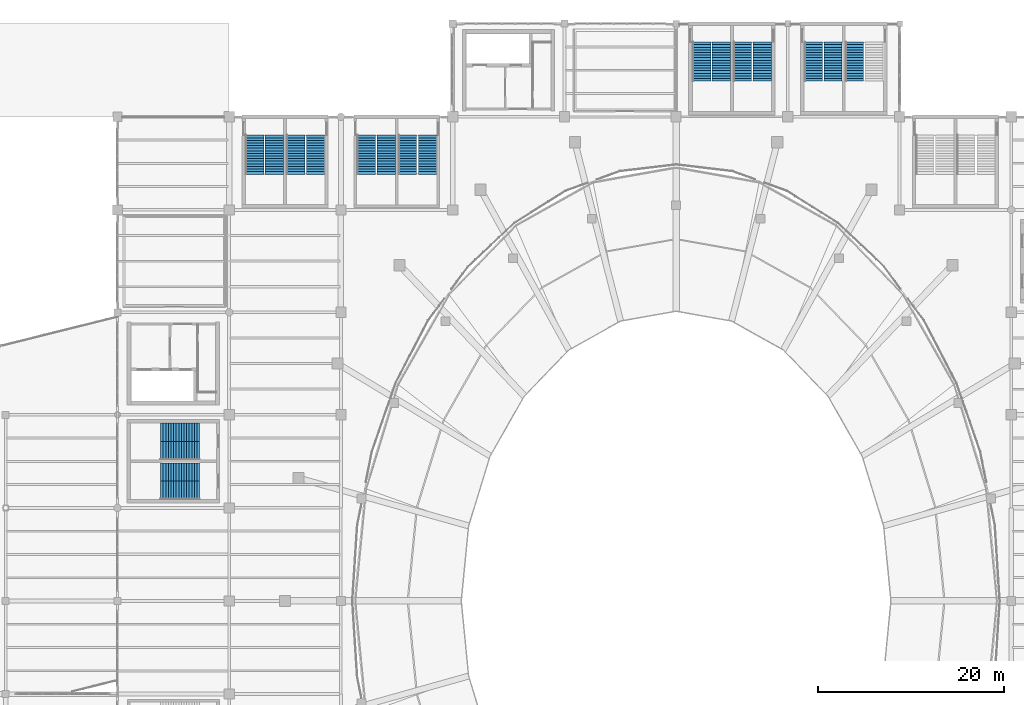
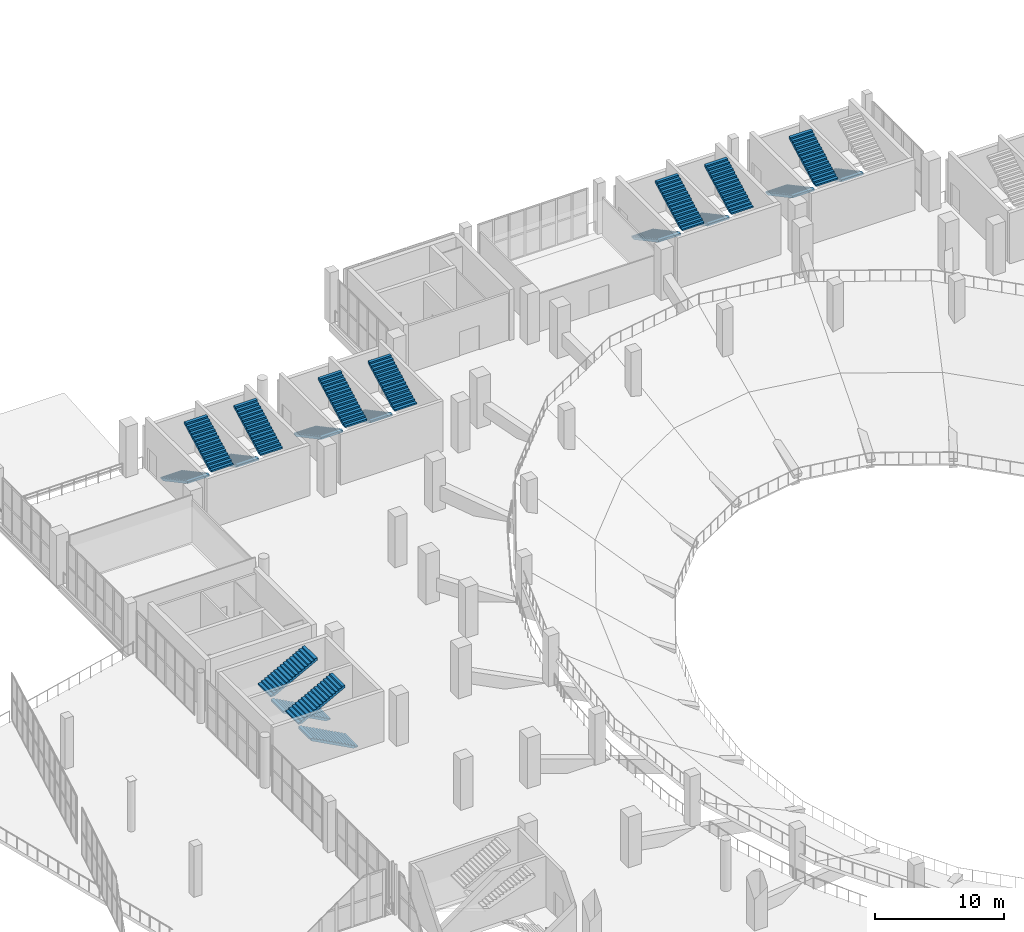
# One storey, part 116 of 136: 19 stair flights, 10 elements without a shape of their own.
"""IFC4 building model written with IfcOpenShell, lengths in metres."""

from ifc_helpers import new_model, si_unit, direction, frame, origin, place, context, subcontext, project, spatial, polyline, outline, extrude, material, layer, layer_set, type_object, element, aggregate, save


model = new_model("IFC4")

# Units and contexts
model_context = context("Model", 3, precision=1e-05, world=origin(), true_north=direction((0.0, 1.0)))
body_context = subcontext(model_context, "Body", "Model", "MODEL_VIEW")
ifc_project = project(units=[si_unit("LENGTHUNIT", "METRE"), si_unit("AREAUNIT", "SQUARE_METRE"), si_unit("VOLUMEUNIT", "CUBIC_METRE"), si_unit("PLANEANGLEUNIT", "RADIAN"), si_unit("MASSUNIT", "GRAM", prefix="KILO")], contexts=[model_context])

# Site, building, storey
site_placement = place(None, origin())
site = spatial("IfcSite", under=ifc_project, at=site_placement, CompositionType="ELEMENT")
building_placement = place(site_placement, origin())
building = spatial("IfcBuilding", under=site, at=building_placement, Name="Brinegate Civic Arena", CompositionType="ELEMENT")
storey_placement = place(building_placement, frame((0.0, 0.0, 5.39990234375)))
storey = spatial("IfcBuildingStorey", under=building, at=storey_placement, Name="L01", CompositionType="ELEMENT", Elevation=5.39990234375)

# Stair, stair flights
ifc_material = material(Name="Concrete C40/50", Category="concrete")
stair_type_1 = type_object("IfcStairType", Name="STAIR-EXIT-3700", PredefinedType="HALF_TURN_STAIR", material=ifc_material)
stair_1_placement = place(storey_placement, origin())
stair_1 = element("IfcStair", 1, at=stair_1_placement, inside=storey, type_object=stair_type_1, Name="Protected Exit Stair ST-01B (L01)", PredefinedType="HALF_TURN_STAIR")
ifc_layer_1 = layer(ifc_material, 0.179931640625, Name="Concrete C40/50")
ifc_layer_set_1 = layer_set([ifc_layer_1], Name="Concrete C40/50")
stair_flight_type_1 = type_object("IfcStairFlightType", Name="FLIGHT-EXIT-3700", PredefinedType="STRAIGHT", material=ifc_layer_set_1)
stair_flight_1_placement = place(storey_placement, frame((67.139892578125, 112.030029296875, 0.0), z_axis=(0.0, 0.0, 1.0), x_axis=(0.0, -1.0, 0.0)))
stair_flight_1 = element("IfcStairFlight", 2, at=stair_flight_1_placement, type_object=stair_flight_type_1, Name="ST-01B flight 1", NumberOfRisers=16, NumberOfTreads=15, PredefinedType="STRAIGHT", RiserHeight=0.15, TreadLength=0.28, context=body_context, shape_type="SweptSolid", body=[
    extrude(outline(polyline([(0.0, 0.0), (0.0, 0.14990234375), (0.280029296875, 0.14990234375), (0.280029296875, 0.300048828125), (0.56005859375, 0.300048828125), (0.56005859375, 0.449951171875), (0.840087890625, 0.449951171875), (0.840087890625, 0.60009765625), (1.1201171875, 0.60009765625), (1.1201171875, 0.75), (1.39990234375, 0.75), (1.39990234375, 0.89990234375), (1.679931640625, 0.89990234375), (1.679931640625, 1.050048828125), (1.9599609375, 1.050048828125), (1.9599609375, 1.199951171875), (2.239990234375, 1.199951171875), (2.239990234375, 1.35009765625), (2.52001953125, 1.35009765625), (2.52001953125, 1.5), (2.800048828125, 1.5), (2.800048828125, 1.64990234375), (3.080078125, 1.64990234375), (3.080078125, 1.800048828125), (3.360107421875, 1.800048828125), (3.360107421875, 1.949951171875), (3.639892578125, 1.949951171875), (3.639892578125, 2.10009765625), (3.919921875, 2.10009765625), (3.919921875, 2.25), (4.199951171875, 2.25), (4.199951171875, 2.39990234375), (4.199951171875, 2.0458984375), (0.381103515625, 0.0), (0.0, 0.0)])), frame((0.0, 0.97998046875, 0.0), z_axis=(0.0, -1.0, 0.0), x_axis=(1.0, 0.0, 0.0)), (0.0, 0.0, 1.0), 1.9599609375),
])
stair_flight_2_placement = place(storey_placement, frame((69.280029296875, 107.830078125, 2.400146484375), z_axis=(0.0, 0.0, 1.0), x_axis=(0.0, 1.0, 0.0)))
stair_flight_2 = element("IfcStairFlight", 3, at=stair_flight_2_placement, type_object=stair_flight_type_1, Name="ST-01B flight 2", NumberOfRisers=16, NumberOfTreads=15, PredefinedType="STRAIGHT", RiserHeight=0.15, TreadLength=0.28, context=body_context, shape_type="SweptSolid", body=[
    extrude(outline(polyline([(0.0, 0.0), (0.0, 0.14990234375), (0.280029296875, 0.14990234375), (0.280029296875, 0.300048828125), (0.56005859375, 0.300048828125), (0.56005859375, 0.449951171875), (0.840087890625, 0.449951171875), (0.840087890625, 0.60009765625), (1.1201171875, 0.60009765625), (1.1201171875, 0.75), (1.39990234375, 0.75), (1.39990234375, 0.89990234375), (1.679931640625, 0.89990234375), (1.679931640625, 1.050048828125), (1.9599609375, 1.050048828125), (1.9599609375, 1.199951171875), (2.239990234375, 1.199951171875), (2.239990234375, 1.35009765625), (2.52001953125, 1.35009765625), (2.52001953125, 1.5), (2.800048828125, 1.5), (2.800048828125, 1.64990234375), (3.080078125, 1.64990234375), (3.080078125, 1.800048828125), (3.360107421875, 1.800048828125), (3.360107421875, 1.949951171875), (3.639892578125, 1.949951171875), (3.639892578125, 2.10009765625), (3.919921875, 2.10009765625), (3.919921875, 2.25), (4.199951171875, 2.25), (4.199951171875, 2.39990234375), (4.199951171875, 2.0458984375), (0.381103515625, 0.0), (0.0, 0.0)])), frame((0.0, 0.97998046875, 0.0), z_axis=(0.0, -1.0, 0.0), x_axis=(1.0, 0.0, 0.0)), (0.0, 0.0, 1.0), 1.9599609375),
])
aggregate(stair_1, [stair_flight_1, stair_flight_2])

# Stair, stair flight
stair_2_placement = place(storey_placement, origin())
stair_2 = element("IfcStair", 4, at=stair_2_placement, inside=storey, type_object=stair_type_1, Name="Protected Exit Stair ST-03B (L01)", PredefinedType="HALF_TURN_STAIR")
stair_flight_3_placement = place(storey_placement, frame((127.139892578125, 122.030029296875, 0.0), z_axis=(0.0, 0.0, 1.0), x_axis=(0.0, -1.0, 0.0)))
stair_flight_3 = element("IfcStairFlight", 5, at=stair_flight_3_placement, type_object=stair_flight_type_1, Name="ST-03B flight 1", NumberOfRisers=16, NumberOfTreads=15, PredefinedType="STRAIGHT", RiserHeight=0.15, TreadLength=0.28, context=body_context, shape_type="SweptSolid", body=[
    extrude(outline(polyline([(0.0, 0.0), (0.0, 0.14990234375), (0.280029296875, 0.14990234375), (0.280029296875, 0.300048828125), (0.56005859375, 0.300048828125), (0.56005859375, 0.449951171875), (0.840087890625, 0.449951171875), (0.840087890625, 0.60009765625), (1.1201171875, 0.60009765625), (1.1201171875, 0.75), (1.39990234375, 0.75), (1.39990234375, 0.89990234375), (1.679931640625, 0.89990234375), (1.679931640625, 1.050048828125), (1.9599609375, 1.050048828125), (1.9599609375, 1.199951171875), (2.239990234375, 1.199951171875), (2.239990234375, 1.35009765625), (2.52001953125, 1.35009765625), (2.52001953125, 1.5), (2.800048828125, 1.5), (2.800048828125, 1.64990234375), (3.080078125, 1.64990234375), (3.080078125, 1.800048828125), (3.360107421875, 1.800048828125), (3.360107421875, 1.949951171875), (3.639892578125, 1.949951171875), (3.639892578125, 2.10009765625), (3.919921875, 2.10009765625), (3.919921875, 2.25), (4.199951171875, 2.25), (4.199951171875, 2.39990234375), (4.199951171875, 2.0458984375), (0.381103515625, 0.0), (0.0, 0.0)])), frame((0.0, 0.97998046875, 0.0), z_axis=(0.0, -1.0, 0.0), x_axis=(1.0, 0.0, 0.0)), (0.0, 0.0, 1.0), 1.9599609375),
])
aggregate(stair_2, [stair_flight_3])

# Stair, stair flights
stair_3_placement = place(storey_placement, origin())
stair_3 = element("IfcStair", 6, at=stair_3_placement, inside=storey, type_object=stair_type_1, Name="Protected Exit Stair ST-07B (L01)", PredefinedType="HALF_TURN_STAIR")
stair_flight_4_placement = place(storey_placement, frame((56.830078125, 78.139892578125, 0.0), z_axis=(0.0, 0.0, 1.0), x_axis=(-1.0, 0.0, 0.0)))
stair_flight_4 = element("IfcStairFlight", 7, at=stair_flight_4_placement, type_object=stair_flight_type_1, Name="ST-07B flight 1", NumberOfRisers=16, NumberOfTreads=15, PredefinedType="STRAIGHT", RiserHeight=0.15, TreadLength=0.28, context=body_context, shape_type="SweptSolid", body=[
    extrude(outline(polyline([(0.0, 0.0), (0.0, 0.14990234375), (0.280029296875, 0.14990234375), (0.280029296875, 0.300048828125), (0.56005859375, 0.300048828125), (0.56005859375, 0.449951171875), (0.840087890625, 0.449951171875), (0.840087890625, 0.60009765625), (1.1201171875, 0.60009765625), (1.1201171875, 0.75), (1.39990234375, 0.75), (1.39990234375, 0.89990234375), (1.679931640625, 0.89990234375), (1.679931640625, 1.050048828125), (1.9599609375, 1.050048828125), (1.9599609375, 1.199951171875), (2.239990234375, 1.199951171875), (2.239990234375, 1.35009765625), (2.52001953125, 1.35009765625), (2.52001953125, 1.5), (2.800048828125, 1.5), (2.800048828125, 1.64990234375), (3.080078125, 1.64990234375), (3.080078125, 1.800048828125), (3.360107421875, 1.800048828125), (3.360107421875, 1.949951171875), (3.639892578125, 1.949951171875), (3.639892578125, 2.10009765625), (3.919921875, 2.10009765625), (3.919921875, 2.25), (4.199951171875, 2.25), (4.199951171875, 2.39990234375), (4.199951171875, 2.0458984375), (0.381103515625, 0.0), (0.0, 0.0)])), frame((0.0, 0.97998046875, 0.0), z_axis=(0.0, -1.0, 0.0), x_axis=(1.0, 0.0, 0.0)), (0.0, 0.0, 1.0), 1.9599609375),
])
stair_flight_5_placement = place(storey_placement, frame((52.6298828125, 80.1298828125, 2.400146484375), z_axis=(0.0, 0.0, 1.0), x_axis=(1.0, 0.0, 0.0)))
stair_flight_5 = element("IfcStairFlight", 8, at=stair_flight_5_placement, type_object=stair_flight_type_1, Name="ST-07B flight 2", NumberOfRisers=16, NumberOfTreads=15, PredefinedType="STRAIGHT", RiserHeight=0.15, TreadLength=0.28, context=body_context, shape_type="SweptSolid", body=[
    extrude(outline(polyline([(0.0, 0.0), (0.0, 0.14990234375), (0.280029296875, 0.14990234375), (0.280029296875, 0.300048828125), (0.56005859375, 0.300048828125), (0.56005859375, 0.449951171875), (0.840087890625, 0.449951171875), (0.840087890625, 0.60009765625), (1.1201171875, 0.60009765625), (1.1201171875, 0.75), (1.39990234375, 0.75), (1.39990234375, 0.89990234375), (1.679931640625, 0.89990234375), (1.679931640625, 1.050048828125), (1.9599609375, 1.050048828125), (1.9599609375, 1.199951171875), (2.239990234375, 1.199951171875), (2.239990234375, 1.35009765625), (2.52001953125, 1.35009765625), (2.52001953125, 1.5), (2.800048828125, 1.5), (2.800048828125, 1.64990234375), (3.080078125, 1.64990234375), (3.080078125, 1.800048828125), (3.360107421875, 1.800048828125), (3.360107421875, 1.949951171875), (3.639892578125, 1.949951171875), (3.639892578125, 2.10009765625), (3.919921875, 2.10009765625), (3.919921875, 2.25), (4.199951171875, 2.25), (4.199951171875, 2.39990234375), (4.199951171875, 2.0458984375), (0.381103515625, 0.0), (0.0, 0.0)])), frame((0.0, 0.97998046875, 0.0), z_axis=(0.0, -1.0, 0.0), x_axis=(1.0, 0.0, 0.0)), (0.0, 0.0, 1.0), 1.9599609375),
])
aggregate(stair_3, [stair_flight_4, stair_flight_5])

stair_4_placement = place(storey_placement, origin())
stair_4 = element("IfcStair", 9, at=stair_4_placement, inside=storey, type_object=stair_type_1, Name="Protected Exit Stair ST-11B (L01)", PredefinedType="HALF_TURN_STAIR")
stair_flight_6_placement = place(storey_placement, frame((79.139892578125, 112.030029296875, 0.0), z_axis=(0.0, 0.0, 1.0), x_axis=(0.0, -1.0, 0.0)))
stair_flight_6 = element("IfcStairFlight", 10, at=stair_flight_6_placement, type_object=stair_flight_type_1, Name="ST-11B flight 1", NumberOfRisers=16, NumberOfTreads=15, PredefinedType="STRAIGHT", RiserHeight=0.15, TreadLength=0.28, context=body_context, shape_type="SweptSolid", body=[
    extrude(outline(polyline([(0.0, 0.0), (0.0, 0.14990234375), (0.280029296875, 0.14990234375), (0.280029296875, 0.300048828125), (0.56005859375, 0.300048828125), (0.56005859375, 0.449951171875), (0.840087890625, 0.449951171875), (0.840087890625, 0.60009765625), (1.1201171875, 0.60009765625), (1.1201171875, 0.75), (1.39990234375, 0.75), (1.39990234375, 0.89990234375), (1.679931640625, 0.89990234375), (1.679931640625, 1.050048828125), (1.9599609375, 1.050048828125), (1.9599609375, 1.199951171875), (2.239990234375, 1.199951171875), (2.239990234375, 1.35009765625), (2.52001953125, 1.35009765625), (2.52001953125, 1.5), (2.800048828125, 1.5), (2.800048828125, 1.64990234375), (3.080078125, 1.64990234375), (3.080078125, 1.800048828125), (3.360107421875, 1.800048828125), (3.360107421875, 1.949951171875), (3.639892578125, 1.949951171875), (3.639892578125, 2.10009765625), (3.919921875, 2.10009765625), (3.919921875, 2.25), (4.199951171875, 2.25), (4.199951171875, 2.39990234375), (4.199951171875, 2.0458984375), (0.381103515625, 0.0), (0.0, 0.0)])), frame((0.0, 0.97998046875, 0.0), z_axis=(0.0, -1.0, 0.0), x_axis=(1.0, 0.0, 0.0)), (0.0, 0.0, 1.0), 1.9599609375),
])
stair_flight_7_placement = place(storey_placement, frame((81.31005859375, 107.830078125, 2.400146484375), z_axis=(0.0, 0.0, 1.0), x_axis=(0.0, 1.0, 0.0)))
stair_flight_7 = element("IfcStairFlight", 11, at=stair_flight_7_placement, type_object=stair_flight_type_1, Name="ST-11B flight 2", NumberOfRisers=16, NumberOfTreads=15, PredefinedType="STRAIGHT", RiserHeight=0.15, TreadLength=0.28, context=body_context, shape_type="SweptSolid", body=[
    extrude(outline(polyline([(0.0, 0.0), (0.0, 0.14990234375), (0.280029296875, 0.14990234375), (0.280029296875, 0.300048828125), (0.56005859375, 0.300048828125), (0.56005859375, 0.449951171875), (0.840087890625, 0.449951171875), (0.840087890625, 0.60009765625), (1.1201171875, 0.60009765625), (1.1201171875, 0.75), (1.39990234375, 0.75), (1.39990234375, 0.89990234375), (1.679931640625, 0.89990234375), (1.679931640625, 1.050048828125), (1.9599609375, 1.050048828125), (1.9599609375, 1.199951171875), (2.239990234375, 1.199951171875), (2.239990234375, 1.35009765625), (2.52001953125, 1.35009765625), (2.52001953125, 1.5), (2.800048828125, 1.5), (2.800048828125, 1.64990234375), (3.080078125, 1.64990234375), (3.080078125, 1.800048828125), (3.360107421875, 1.800048828125), (3.360107421875, 1.949951171875), (3.639892578125, 1.949951171875), (3.639892578125, 2.10009765625), (3.919921875, 2.10009765625), (3.919921875, 2.25), (4.199951171875, 2.25), (4.199951171875, 2.39990234375), (4.199951171875, 2.0458984375), (0.381103515625, 0.0), (0.0, 0.0)])), frame((0.0, 0.97998046875, 0.0), z_axis=(0.0, -1.0, 0.0), x_axis=(1.0, 0.0, 0.0)), (0.0, 0.0, 1.0), 1.9599609375),
])
aggregate(stair_4, [stair_flight_6, stair_flight_7])

stair_5_placement = place(storey_placement, origin())
stair_5 = element("IfcStair", 12, at=stair_5_placement, inside=storey, type_object=stair_type_1, Name="Protected Exit Stair ST-15B (L01)", PredefinedType="HALF_TURN_STAIR")
stair_flight_8_placement = place(storey_placement, frame((115.139892578125, 122.030029296875, 0.0), z_axis=(0.0, 0.0, 1.0), x_axis=(0.0, -1.0, 0.0)))
stair_flight_8 = element("IfcStairFlight", 13, at=stair_flight_8_placement, type_object=stair_flight_type_1, Name="ST-15B flight 1", NumberOfRisers=16, NumberOfTreads=15, PredefinedType="STRAIGHT", RiserHeight=0.15, TreadLength=0.28, context=body_context, shape_type="SweptSolid", body=[
    extrude(outline(polyline([(0.0, 0.0), (0.0, 0.14990234375), (0.280029296875, 0.14990234375), (0.280029296875, 0.300048828125), (0.56005859375, 0.300048828125), (0.56005859375, 0.449951171875), (0.840087890625, 0.449951171875), (0.840087890625, 0.60009765625), (1.1201171875, 0.60009765625), (1.1201171875, 0.75), (1.39990234375, 0.75), (1.39990234375, 0.89990234375), (1.679931640625, 0.89990234375), (1.679931640625, 1.050048828125), (1.9599609375, 1.050048828125), (1.9599609375, 1.199951171875), (2.239990234375, 1.199951171875), (2.239990234375, 1.35009765625), (2.52001953125, 1.35009765625), (2.52001953125, 1.5), (2.800048828125, 1.5), (2.800048828125, 1.64990234375), (3.080078125, 1.64990234375), (3.080078125, 1.800048828125), (3.360107421875, 1.800048828125), (3.360107421875, 1.949951171875), (3.639892578125, 1.949951171875), (3.639892578125, 2.10009765625), (3.919921875, 2.10009765625), (3.919921875, 2.25), (4.199951171875, 2.25), (4.199951171875, 2.39990234375), (4.199951171875, 2.0458984375), (0.381103515625, 0.0), (0.0, 0.0)])), frame((0.0, 0.97998046875, 0.0), z_axis=(0.0, -1.0, 0.0), x_axis=(1.0, 0.0, 0.0)), (0.0, 0.0, 1.0), 1.9599609375),
])
stair_flight_9_placement = place(storey_placement, frame((117.260009765625, 117.830078125, 2.400146484375), z_axis=(0.0, 0.0, 1.0), x_axis=(0.0, 1.0, 0.0)))
stair_flight_9 = element("IfcStairFlight", 14, at=stair_flight_9_placement, type_object=stair_flight_type_1, Name="ST-15B flight 2", NumberOfRisers=16, NumberOfTreads=15, PredefinedType="STRAIGHT", RiserHeight=0.15, TreadLength=0.28, context=body_context, shape_type="SweptSolid", body=[
    extrude(outline(polyline([(0.0, 0.0), (0.0, 0.14990234375), (0.280029296875, 0.14990234375), (0.280029296875, 0.300048828125), (0.56005859375, 0.300048828125), (0.56005859375, 0.449951171875), (0.840087890625, 0.449951171875), (0.840087890625, 0.60009765625), (1.1201171875, 0.60009765625), (1.1201171875, 0.75), (1.39990234375, 0.75), (1.39990234375, 0.89990234375), (1.679931640625, 0.89990234375), (1.679931640625, 1.050048828125), (1.9599609375, 1.050048828125), (1.9599609375, 1.199951171875), (2.239990234375, 1.199951171875), (2.239990234375, 1.35009765625), (2.52001953125, 1.35009765625), (2.52001953125, 1.5), (2.800048828125, 1.5), (2.800048828125, 1.64990234375), (3.080078125, 1.64990234375), (3.080078125, 1.800048828125), (3.360107421875, 1.800048828125), (3.360107421875, 1.949951171875), (3.639892578125, 1.949951171875), (3.639892578125, 2.10009765625), (3.919921875, 2.10009765625), (3.919921875, 2.25), (4.199951171875, 2.25), (4.199951171875, 2.39990234375), (4.199951171875, 2.0458984375), (0.381103515625, 0.0), (0.0, 0.0)])), frame((0.0, 0.97998046875, 0.0), z_axis=(0.0, -1.0, 0.0), x_axis=(1.0, 0.0, 0.0)), (0.0, 0.0, 1.0), 1.9599609375),
])
aggregate(stair_5, [stair_flight_8, stair_flight_9])

stair_type_2 = type_object("IfcStairType", Name="STAIR-EXIT-3850", PredefinedType="HALF_TURN_STAIR", material=ifc_material)
stair_6_placement = place(storey_placement, origin())
stair_6 = element("IfcStair", 15, at=stair_6_placement, inside=storey, type_object=stair_type_2, Name="Protected Exit Stair ST-01A (L01)", PredefinedType="HALF_TURN_STAIR")
ifc_layer_2 = layer(ifc_material, 0.179931640625, Name="Concrete C40/50")
ifc_layer_set_2 = layer_set([ifc_layer_2], Name="Concrete C40/50")
stair_flight_type_2 = type_object("IfcStairFlightType", Name="FLIGHT-EXIT-3850", PredefinedType="STRAIGHT", material=ifc_layer_set_2)
stair_flight_10_placement = place(storey_placement, frame((62.72998046875, 112.030029296875, 0.0), z_axis=(0.0, 0.0, 1.0), x_axis=(0.0, -1.0, 0.0)))
stair_flight_10 = element("IfcStairFlight", 16, at=stair_flight_10_placement, type_object=stair_flight_type_2, Name="ST-01A flight 1", NumberOfRisers=16, NumberOfTreads=15, PredefinedType="STRAIGHT", RiserHeight=0.15, TreadLength=0.28, context=body_context, shape_type="SweptSolid", body=[
    extrude(outline(polyline([(0.0, 0.0), (0.0, 0.14990234375), (0.280029296875, 0.14990234375), (0.280029296875, 0.300048828125), (0.56005859375, 0.300048828125), (0.56005859375, 0.449951171875), (0.840087890625, 0.449951171875), (0.840087890625, 0.60009765625), (1.1201171875, 0.60009765625), (1.1201171875, 0.75), (1.39990234375, 0.75), (1.39990234375, 0.89990234375), (1.679931640625, 0.89990234375), (1.679931640625, 1.050048828125), (1.9599609375, 1.050048828125), (1.9599609375, 1.199951171875), (2.239990234375, 1.199951171875), (2.239990234375, 1.35009765625), (2.52001953125, 1.35009765625), (2.52001953125, 1.5), (2.800048828125, 1.5), (2.800048828125, 1.64990234375), (3.080078125, 1.64990234375), (3.080078125, 1.800048828125), (3.360107421875, 1.800048828125), (3.360107421875, 1.949951171875), (3.639892578125, 1.949951171875), (3.639892578125, 2.10009765625), (3.919921875, 2.10009765625), (3.919921875, 2.25), (4.199951171875, 2.25), (4.199951171875, 2.39990234375), (4.199951171875, 2.0458984375), (0.381103515625, 0.0), (0.0, 0.0)])), frame((0.0, 0.989990234375, 0.0), z_axis=(0.0, -1.0, 0.0), x_axis=(1.0, 0.0, 0.0)), (0.0, 0.0, 1.0), 1.97998046875),
])
stair_flight_11_placement = place(storey_placement, frame((64.85009765625, 107.830078125, 2.400146484375), z_axis=(0.0, 0.0, 1.0), x_axis=(0.0, 1.0, 0.0)))
stair_flight_11 = element("IfcStairFlight", 17, at=stair_flight_11_placement, type_object=stair_flight_type_2, Name="ST-01A flight 2", NumberOfRisers=16, NumberOfTreads=15, PredefinedType="STRAIGHT", RiserHeight=0.15, TreadLength=0.28, context=body_context, shape_type="SweptSolid", body=[
    extrude(outline(polyline([(0.0, 0.0), (0.0, 0.14990234375), (0.280029296875, 0.14990234375), (0.280029296875, 0.300048828125), (0.56005859375, 0.300048828125), (0.56005859375, 0.449951171875), (0.840087890625, 0.449951171875), (0.840087890625, 0.60009765625), (1.1201171875, 0.60009765625), (1.1201171875, 0.75), (1.39990234375, 0.75), (1.39990234375, 0.89990234375), (1.679931640625, 0.89990234375), (1.679931640625, 1.050048828125), (1.9599609375, 1.050048828125), (1.9599609375, 1.199951171875), (2.239990234375, 1.199951171875), (2.239990234375, 1.35009765625), (2.52001953125, 1.35009765625), (2.52001953125, 1.5), (2.800048828125, 1.5), (2.800048828125, 1.64990234375), (3.080078125, 1.64990234375), (3.080078125, 1.800048828125), (3.360107421875, 1.800048828125), (3.360107421875, 1.949951171875), (3.639892578125, 1.949951171875), (3.639892578125, 2.10009765625), (3.919921875, 2.10009765625), (3.919921875, 2.25), (4.199951171875, 2.25), (4.199951171875, 2.39990234375), (4.199951171875, 2.0458984375), (0.381103515625, 0.0), (0.0, 0.0)])), frame((0.0, 0.989990234375, 0.0), z_axis=(0.0, -1.0, 0.0), x_axis=(1.0, 0.0, 0.0)), (0.0, 0.0, 1.0), 1.97998046875),
])
aggregate(stair_6, [stair_flight_10, stair_flight_11])

stair_7_placement = place(storey_placement, origin())
stair_7 = element("IfcStair", 18, at=stair_7_placement, inside=storey, type_object=stair_type_2, Name="Protected Exit Stair ST-03A (L01)", PredefinedType="HALF_TURN_STAIR")
stair_flight_12_placement = place(storey_placement, frame((122.75, 122.030029296875, 0.0), z_axis=(0.0, 0.0, 1.0), x_axis=(0.0, -1.0, 0.0)))
stair_flight_12 = element("IfcStairFlight", 19, at=stair_flight_12_placement, type_object=stair_flight_type_2, Name="ST-03A flight 1", NumberOfRisers=16, NumberOfTreads=15, PredefinedType="STRAIGHT", RiserHeight=0.15, TreadLength=0.28, context=body_context, shape_type="SweptSolid", body=[
    extrude(outline(polyline([(0.0, 0.0), (0.0, 0.14990234375), (0.280029296875, 0.14990234375), (0.280029296875, 0.300048828125), (0.56005859375, 0.300048828125), (0.56005859375, 0.449951171875), (0.840087890625, 0.449951171875), (0.840087890625, 0.60009765625), (1.1201171875, 0.60009765625), (1.1201171875, 0.75), (1.39990234375, 0.75), (1.39990234375, 0.89990234375), (1.679931640625, 0.89990234375), (1.679931640625, 1.050048828125), (1.9599609375, 1.050048828125), (1.9599609375, 1.199951171875), (2.239990234375, 1.199951171875), (2.239990234375, 1.35009765625), (2.52001953125, 1.35009765625), (2.52001953125, 1.5), (2.800048828125, 1.5), (2.800048828125, 1.64990234375), (3.080078125, 1.64990234375), (3.080078125, 1.800048828125), (3.360107421875, 1.800048828125), (3.360107421875, 1.949951171875), (3.639892578125, 1.949951171875), (3.639892578125, 2.10009765625), (3.919921875, 2.10009765625), (3.919921875, 2.25), (4.199951171875, 2.25), (4.199951171875, 2.39990234375), (4.199951171875, 2.0458984375), (0.381103515625, 0.0), (0.0, 0.0)])), frame((0.0, 0.989990234375, 0.0), z_axis=(0.0, -1.0, 0.0), x_axis=(1.0, 0.0, 0.0)), (0.0, 0.0, 1.0), 1.97998046875),
])
stair_flight_13_placement = place(storey_placement, frame((124.85009765625, 117.830078125, 2.400146484375), z_axis=(0.0, 0.0, 1.0), x_axis=(0.0, 1.0, 0.0)))
stair_flight_13 = element("IfcStairFlight", 20, at=stair_flight_13_placement, type_object=stair_flight_type_2, Name="ST-03A flight 2", NumberOfRisers=16, NumberOfTreads=15, PredefinedType="STRAIGHT", RiserHeight=0.15, TreadLength=0.28, context=body_context, shape_type="SweptSolid", body=[
    extrude(outline(polyline([(0.0, 0.0), (0.0, 0.14990234375), (0.280029296875, 0.14990234375), (0.280029296875, 0.300048828125), (0.56005859375, 0.300048828125), (0.56005859375, 0.449951171875), (0.840087890625, 0.449951171875), (0.840087890625, 0.60009765625), (1.1201171875, 0.60009765625), (1.1201171875, 0.75), (1.39990234375, 0.75), (1.39990234375, 0.89990234375), (1.679931640625, 0.89990234375), (1.679931640625, 1.050048828125), (1.9599609375, 1.050048828125), (1.9599609375, 1.199951171875), (2.239990234375, 1.199951171875), (2.239990234375, 1.35009765625), (2.52001953125, 1.35009765625), (2.52001953125, 1.5), (2.800048828125, 1.5), (2.800048828125, 1.64990234375), (3.080078125, 1.64990234375), (3.080078125, 1.800048828125), (3.360107421875, 1.800048828125), (3.360107421875, 1.949951171875), (3.639892578125, 1.949951171875), (3.639892578125, 2.10009765625), (3.919921875, 2.10009765625), (3.919921875, 2.25), (4.199951171875, 2.25), (4.199951171875, 2.39990234375), (4.199951171875, 2.0458984375), (0.381103515625, 0.0), (0.0, 0.0)])), frame((0.0, 0.989990234375, 0.0), z_axis=(0.0, -1.0, 0.0), x_axis=(1.0, 0.0, 0.0)), (0.0, 0.0, 1.0), 1.97998046875),
])
aggregate(stair_7, [stair_flight_12, stair_flight_13])

stair_8_placement = place(storey_placement, origin())
stair_8 = element("IfcStair", 21, at=stair_8_placement, inside=storey, type_object=stair_type_2, Name="Protected Exit Stair ST-07A (L01)", PredefinedType="HALF_TURN_STAIR")
stair_flight_14_placement = place(storey_placement, frame((56.830078125, 73.8779296875, 0.0), z_axis=(0.0, 0.0, 1.0), x_axis=(-1.0, 0.0, 0.0)))
stair_flight_14 = element("IfcStairFlight", 22, at=stair_flight_14_placement, type_object=stair_flight_type_2, Name="ST-07A flight 1", NumberOfRisers=16, NumberOfTreads=15, PredefinedType="STRAIGHT", RiserHeight=0.15, TreadLength=0.28, context=body_context, shape_type="SweptSolid", body=[
    extrude(outline(polyline([(0.0, 0.0), (0.0, 0.14990234375), (0.280029296875, 0.14990234375), (0.280029296875, 0.300048828125), (0.56005859375, 0.300048828125), (0.56005859375, 0.449951171875), (0.840087890625, 0.449951171875), (0.840087890625, 0.60009765625), (1.1201171875, 0.60009765625), (1.1201171875, 0.75), (1.39990234375, 0.75), (1.39990234375, 0.89990234375), (1.679931640625, 0.89990234375), (1.679931640625, 1.050048828125), (1.9599609375, 1.050048828125), (1.9599609375, 1.199951171875), (2.239990234375, 1.199951171875), (2.239990234375, 1.35009765625), (2.52001953125, 1.35009765625), (2.52001953125, 1.5), (2.800048828125, 1.5), (2.800048828125, 1.64990234375), (3.080078125, 1.64990234375), (3.080078125, 1.800048828125), (3.360107421875, 1.800048828125), (3.360107421875, 1.949951171875), (3.639892578125, 1.949951171875), (3.639892578125, 2.10009765625), (3.919921875, 2.10009765625), (3.919921875, 2.25), (4.199951171875, 2.25), (4.199951171875, 2.39990234375), (4.199951171875, 2.0458984375), (0.381103515625, 0.0), (0.0, 0.0)])), frame((0.0, 0.987548828125, 0.0), z_axis=(0.0, -1.0, 0.0), x_axis=(1.0, 0.0, 0.0)), (0.0, 0.0, 1.0), 1.97509765625),
])
stair_flight_15_placement = place(storey_placement, frame((52.6298828125, 75.85302734375, 2.400146484375), z_axis=(0.0, 0.0, 1.0), x_axis=(1.0, 0.0, 0.0)))
stair_flight_15 = element("IfcStairFlight", 23, at=stair_flight_15_placement, type_object=stair_flight_type_2, Name="ST-07A flight 2", NumberOfRisers=16, NumberOfTreads=15, PredefinedType="STRAIGHT", RiserHeight=0.15, TreadLength=0.28, context=body_context, shape_type="SweptSolid", body=[
    extrude(outline(polyline([(0.0, 0.0), (0.0, 0.14990234375), (0.280029296875, 0.14990234375), (0.280029296875, 0.300048828125), (0.56005859375, 0.300048828125), (0.56005859375, 0.449951171875), (0.840087890625, 0.449951171875), (0.840087890625, 0.60009765625), (1.1201171875, 0.60009765625), (1.1201171875, 0.75), (1.39990234375, 0.75), (1.39990234375, 0.89990234375), (1.679931640625, 0.89990234375), (1.679931640625, 1.050048828125), (1.9599609375, 1.050048828125), (1.9599609375, 1.199951171875), (2.239990234375, 1.199951171875), (2.239990234375, 1.35009765625), (2.52001953125, 1.35009765625), (2.52001953125, 1.5), (2.800048828125, 1.5), (2.800048828125, 1.64990234375), (3.080078125, 1.64990234375), (3.080078125, 1.800048828125), (3.360107421875, 1.800048828125), (3.360107421875, 1.949951171875), (3.639892578125, 1.949951171875), (3.639892578125, 2.10009765625), (3.919921875, 2.10009765625), (3.919921875, 2.25), (4.199951171875, 2.25), (4.199951171875, 2.39990234375), (4.199951171875, 2.0458984375), (0.381103515625, 0.0), (0.0, 0.0)])), frame((0.0, 0.987548828125, 0.0), z_axis=(0.0, -1.0, 0.0), x_axis=(1.0, 0.0, 0.0)), (0.0, 0.0, 1.0), 1.97509765625),
])
aggregate(stair_8, [stair_flight_14, stair_flight_15])

stair_9_placement = place(storey_placement, origin())
stair_9 = element("IfcStair", 24, at=stair_9_placement, inside=storey, type_object=stair_type_2, Name="Protected Exit Stair ST-11A (L01)", PredefinedType="HALF_TURN_STAIR")
stair_flight_16_placement = place(storey_placement, frame((74.699951171875, 112.030029296875, 0.0), z_axis=(0.0, 0.0, 1.0), x_axis=(0.0, -1.0, 0.0)))
stair_flight_16 = element("IfcStairFlight", 25, at=stair_flight_16_placement, type_object=stair_flight_type_2, Name="ST-11A flight 1", NumberOfRisers=16, NumberOfTreads=15, PredefinedType="STRAIGHT", RiserHeight=0.15, TreadLength=0.28, context=body_context, shape_type="SweptSolid", body=[
    extrude(outline(polyline([(0.0, 0.0), (0.0, 0.14990234375), (0.280029296875, 0.14990234375), (0.280029296875, 0.300048828125), (0.56005859375, 0.300048828125), (0.56005859375, 0.449951171875), (0.840087890625, 0.449951171875), (0.840087890625, 0.60009765625), (1.1201171875, 0.60009765625), (1.1201171875, 0.75), (1.39990234375, 0.75), (1.39990234375, 0.89990234375), (1.679931640625, 0.89990234375), (1.679931640625, 1.050048828125), (1.9599609375, 1.050048828125), (1.9599609375, 1.199951171875), (2.239990234375, 1.199951171875), (2.239990234375, 1.35009765625), (2.52001953125, 1.35009765625), (2.52001953125, 1.5), (2.800048828125, 1.5), (2.800048828125, 1.64990234375), (3.080078125, 1.64990234375), (3.080078125, 1.800048828125), (3.360107421875, 1.800048828125), (3.360107421875, 1.949951171875), (3.639892578125, 1.949951171875), (3.639892578125, 2.10009765625), (3.919921875, 2.10009765625), (3.919921875, 2.25), (4.199951171875, 2.25), (4.199951171875, 2.39990234375), (4.199951171875, 2.0458984375), (0.381103515625, 0.0), (0.0, 0.0)])), frame((0.0, 0.989990234375, 0.0), z_axis=(0.0, -1.0, 0.0), x_axis=(1.0, 0.0, 0.0)), (0.0, 0.0, 1.0), 1.97998046875),
])
stair_flight_17_placement = place(storey_placement, frame((76.85009765625, 107.830078125, 2.400146484375), z_axis=(0.0, 0.0, 1.0), x_axis=(0.0, 1.0, 0.0)))
stair_flight_17 = element("IfcStairFlight", 26, at=stair_flight_17_placement, type_object=stair_flight_type_2, Name="ST-11A flight 2", NumberOfRisers=16, NumberOfTreads=15, PredefinedType="STRAIGHT", RiserHeight=0.15, TreadLength=0.28, context=body_context, shape_type="SweptSolid", body=[
    extrude(outline(polyline([(0.0, 0.0), (0.0, 0.14990234375), (0.280029296875, 0.14990234375), (0.280029296875, 0.300048828125), (0.56005859375, 0.300048828125), (0.56005859375, 0.449951171875), (0.840087890625, 0.449951171875), (0.840087890625, 0.60009765625), (1.1201171875, 0.60009765625), (1.1201171875, 0.75), (1.39990234375, 0.75), (1.39990234375, 0.89990234375), (1.679931640625, 0.89990234375), (1.679931640625, 1.050048828125), (1.9599609375, 1.050048828125), (1.9599609375, 1.199951171875), (2.239990234375, 1.199951171875), (2.239990234375, 1.35009765625), (2.52001953125, 1.35009765625), (2.52001953125, 1.5), (2.800048828125, 1.5), (2.800048828125, 1.64990234375), (3.080078125, 1.64990234375), (3.080078125, 1.800048828125), (3.360107421875, 1.800048828125), (3.360107421875, 1.949951171875), (3.639892578125, 1.949951171875), (3.639892578125, 2.10009765625), (3.919921875, 2.10009765625), (3.919921875, 2.25), (4.199951171875, 2.25), (4.199951171875, 2.39990234375), (4.199951171875, 2.0458984375), (0.381103515625, 0.0), (0.0, 0.0)])), frame((0.0, 0.989990234375, 0.0), z_axis=(0.0, -1.0, 0.0), x_axis=(1.0, 0.0, 0.0)), (0.0, 0.0, 1.0), 1.97998046875),
])
aggregate(stair_9, [stair_flight_16, stair_flight_17])

stair_10_placement = place(storey_placement, origin())
stair_10 = element("IfcStair", 27, at=stair_10_placement, inside=storey, type_object=stair_type_2, Name="Protected Exit Stair ST-15A (L01)", PredefinedType="HALF_TURN_STAIR")
stair_flight_18_placement = place(storey_placement, frame((110.75, 122.030029296875, 0.0), z_axis=(0.0, 0.0, 1.0), x_axis=(0.0, -1.0, 0.0)))
stair_flight_18 = element("IfcStairFlight", 28, at=stair_flight_18_placement, type_object=stair_flight_type_2, Name="ST-15A flight 1", NumberOfRisers=16, NumberOfTreads=15, PredefinedType="STRAIGHT", RiserHeight=0.15, TreadLength=0.28, context=body_context, shape_type="SweptSolid", body=[
    extrude(outline(polyline([(0.0, 0.0), (0.0, 0.14990234375), (0.280029296875, 0.14990234375), (0.280029296875, 0.300048828125), (0.56005859375, 0.300048828125), (0.56005859375, 0.449951171875), (0.840087890625, 0.449951171875), (0.840087890625, 0.60009765625), (1.1201171875, 0.60009765625), (1.1201171875, 0.75), (1.39990234375, 0.75), (1.39990234375, 0.89990234375), (1.679931640625, 0.89990234375), (1.679931640625, 1.050048828125), (1.9599609375, 1.050048828125), (1.9599609375, 1.199951171875), (2.239990234375, 1.199951171875), (2.239990234375, 1.35009765625), (2.52001953125, 1.35009765625), (2.52001953125, 1.5), (2.800048828125, 1.5), (2.800048828125, 1.64990234375), (3.080078125, 1.64990234375), (3.080078125, 1.800048828125), (3.360107421875, 1.800048828125), (3.360107421875, 1.949951171875), (3.639892578125, 1.949951171875), (3.639892578125, 2.10009765625), (3.919921875, 2.10009765625), (3.919921875, 2.25), (4.199951171875, 2.25), (4.199951171875, 2.39990234375), (4.199951171875, 2.0458984375), (0.381103515625, 0.0), (0.0, 0.0)])), frame((0.0, 0.989990234375, 0.0), z_axis=(0.0, -1.0, 0.0), x_axis=(1.0, 0.0, 0.0)), (0.0, 0.0, 1.0), 1.97998046875),
])
stair_flight_19_placement = place(storey_placement, frame((112.85009765625, 117.830078125, 2.400146484375), z_axis=(0.0, 0.0, 1.0), x_axis=(0.0, 1.0, 0.0)))
stair_flight_19 = element("IfcStairFlight", 29, at=stair_flight_19_placement, type_object=stair_flight_type_2, Name="ST-15A flight 2", NumberOfRisers=16, NumberOfTreads=15, PredefinedType="STRAIGHT", RiserHeight=0.15, TreadLength=0.28, context=body_context, shape_type="SweptSolid", body=[
    extrude(outline(polyline([(0.0, 0.0), (0.0, 0.14990234375), (0.280029296875, 0.14990234375), (0.280029296875, 0.300048828125), (0.56005859375, 0.300048828125), (0.56005859375, 0.449951171875), (0.840087890625, 0.449951171875), (0.840087890625, 0.60009765625), (1.1201171875, 0.60009765625), (1.1201171875, 0.75), (1.39990234375, 0.75), (1.39990234375, 0.89990234375), (1.679931640625, 0.89990234375), (1.679931640625, 1.050048828125), (1.9599609375, 1.050048828125), (1.9599609375, 1.199951171875), (2.239990234375, 1.199951171875), (2.239990234375, 1.35009765625), (2.52001953125, 1.35009765625), (2.52001953125, 1.5), (2.800048828125, 1.5), (2.800048828125, 1.64990234375), (3.080078125, 1.64990234375), (3.080078125, 1.800048828125), (3.360107421875, 1.800048828125), (3.360107421875, 1.949951171875), (3.639892578125, 1.949951171875), (3.639892578125, 2.10009765625), (3.919921875, 2.10009765625), (3.919921875, 2.25), (4.199951171875, 2.25), (4.199951171875, 2.39990234375), (4.199951171875, 2.0458984375), (0.381103515625, 0.0), (0.0, 0.0)])), frame((0.0, 0.989990234375, 0.0), z_axis=(0.0, -1.0, 0.0), x_axis=(1.0, 0.0, 0.0)), (0.0, 0.0, 1.0), 1.97998046875),
])
aggregate(stair_10, [stair_flight_18, stair_flight_19])

save(model, "model.ifc")
